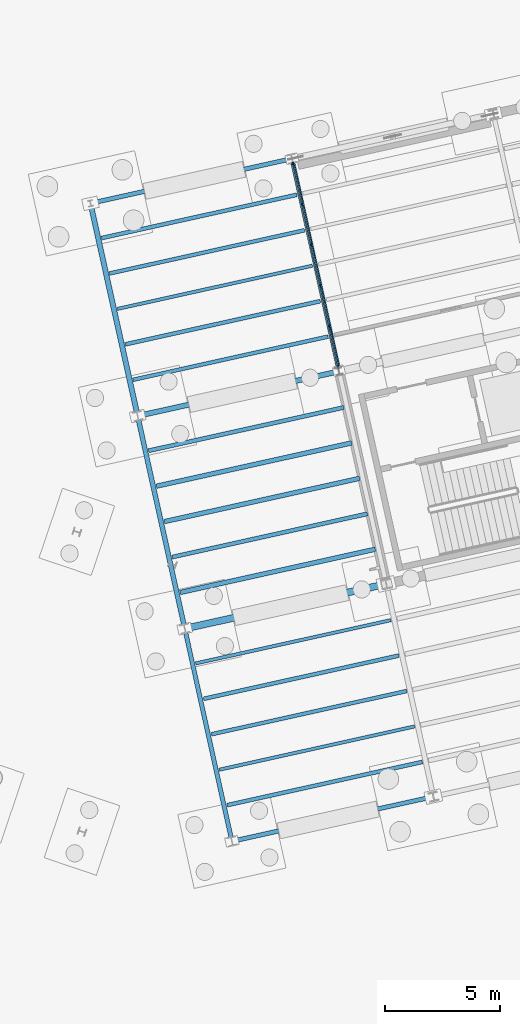
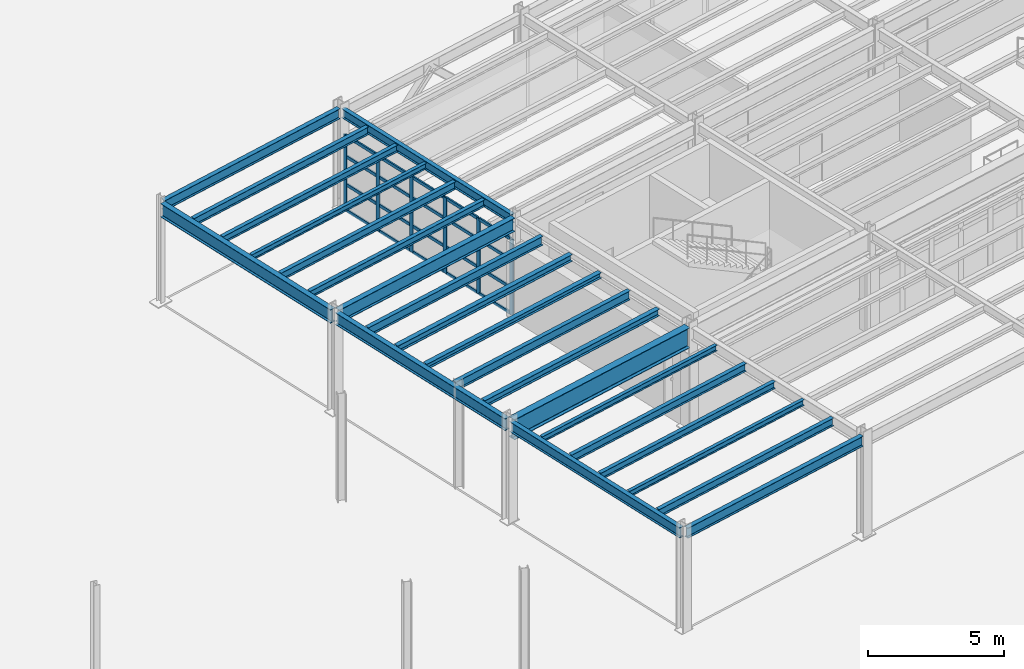
# One storey, part 52 of 108: 26 members, 23 beams, 1 element without a shape of its own.
"""IFC4 building model written with IfcOpenShell, lengths in metres."""

from ifc_helpers import new_model, si_unit, direction, frame, origin, origin_2d, place, context, subcontext, project, spatial, rectangle, i_section, extrude, material, layer, layer_set, material_profile, profile_set, type_object, element, aggregate, save


model = new_model("IFC4")

# Units and contexts
model_context = context("Model", 3, precision=1e-05, world=origin(), true_north=direction((0.0, 1.0)))
body_context = subcontext(model_context, "Body", "Model", "MODEL_VIEW")
ifc_project = project(units=[si_unit("LENGTHUNIT", "METRE"), si_unit("AREAUNIT", "SQUARE_METRE"), si_unit("VOLUMEUNIT", "CUBIC_METRE"), si_unit("PLANEANGLEUNIT", "RADIAN"), si_unit("MASSUNIT", "GRAM", prefix="KILO")], contexts=[model_context])

# Site, building, storey
site_placement = place(None, origin())
site = spatial("IfcSite", under=ifc_project, at=site_placement, CompositionType="ELEMENT")
building_placement = place(site_placement, origin())
building = spatial("IfcBuilding", under=site, at=building_placement, Name="Vireo Bluff Cable Station", CompositionType="ELEMENT")
storey_placement = place(building_placement, origin())
storey = spatial("IfcBuildingStorey", under=building, at=storey_placement, Name="L00", CompositionType="ELEMENT", Elevation=0.0)

# Beam
ifc_material_1 = material(Name="Steel ASTM A992 Gr. 50", Category="steel")
ifc_material_profile_1 = material_profile(ifc_material_1, i_section(OverallWidth=0.178955078125, OverallDepth=0.408935546875, WebThickness=0.0087890625, FlangeThickness=0.014404296875, FilletRadius=0.010009765625, at=origin_2d()), Name="W16X45")
ifc_profile_set_1 = profile_set([ifc_material_profile_1], Name="Steel ASTM A992 Gr. 50")
beam_type_1 = type_object("IfcBeamType", Name="BM-W16X45", PredefinedType="BEAM", material=ifc_profile_set_1)
beam_1_placement = place(storey_placement, frame((130.6484375, 94.61474609375, 4.33544921875), z_axis=(-0.216455863908, 0.976292404447, 0.0), x_axis=(-0.976292404447, -0.216455863908, 0.0)))
element("IfcBeam", 1, at=beam_1_placement, inside=storey, type_object=beam_type_1, Name="V2 L00 beam 377", PredefinedType="BEAM", context=body_context, shape_type="SweptSolid", body=[
    extrude(i_section(OverallWidth=0.178955078125, OverallDepth=0.408935546875, WebThickness=0.0087890625, FlangeThickness=0.014404296875, FilletRadius=0.010009765625, at=origin_2d()), origin(), (0.0, 0.0, 1.0), 9.260009765625),
])

# Curtain wall, members
ifc_material_2 = material(Name="Anodized Aluminium 6063-T6", Category="aluminium")
ifc_layer = layer(ifc_material_2, 0.159912109375, Name="Anodized Aluminium 6063-T6")
ifc_layer_set = layer_set([ifc_layer], Name="Anodized Aluminium 6063-T6")
curtain_wall_type = type_object("IfcCurtainWallType", Name="CW-STICK-1750", PredefinedType="USERDEFINED", material=ifc_layer_set)
curtain_wall_placement = place(storey_placement, origin())
curtain_wall = element("IfcCurtainWall", 2, at=curtain_wall_placement, inside=storey, type_object=curtain_wall_type, Name="V2 L00 west curtain wall CW-040", ObjectType="STICK CURTAIN WALL", PredefinedType="USERDEFINED")
ifc_material_profile_2 = material_profile(ifc_material_2, rectangle(XDim=0.06494140625, YDim=0.179931640625, at=origin_2d()), Name="ALU-M-65X180")
ifc_profile_set_2 = profile_set([ifc_material_profile_2], Name="Anodized Aluminium 6063-T6")
member_type_1 = type_object("IfcMemberType", Name="CWM-01", PredefinedType="MULLION", material=ifc_profile_set_2)
member_1_placement = place(storey_placement, frame((130.63330078125, 94.6826171875, 0.0), z_axis=(0.0, 0.0, 1.0), x_axis=(-0.976296023575, -0.216439539714, 0.0)))
member_1 = element("IfcMember", 3, at=member_1_placement, type_object=member_type_1, Name="CW-040 mullion 1", PredefinedType="MULLION", context=body_context, shape_type="SweptSolid", body=[
    extrude(rectangle(XDim=0.06494140625, YDim=0.179931640625, at=origin_2d()), origin(), (0.0, 0.0, 1.0), 3.39990234375),
])
member_2_placement = place(storey_placement, frame((130.2451171875, 96.43408203125, 0.0), z_axis=(0.0, 0.0, 1.0), x_axis=(-0.976296023575, -0.216439539714, 0.0)))
member_2 = element("IfcMember", 4, at=member_2_placement, type_object=member_type_1, Name="CW-040 mullion 2", PredefinedType="MULLION", context=body_context, shape_type="SweptSolid", body=[
    extrude(rectangle(XDim=0.06494140625, YDim=0.179931640625, at=origin_2d()), origin(), (0.0, 0.0, 1.0), 3.39990234375),
])
member_3_placement = place(storey_placement, frame((129.849609375, 98.21728515625, 0.0), z_axis=(0.0, 0.0, 1.0), x_axis=(-0.976296023575, -0.216439539714, 0.0)))
member_3 = element("IfcMember", 5, at=member_3_placement, type_object=member_type_1, Name="CW-040 mullion 3", PredefinedType="MULLION", context=body_context, shape_type="SweptSolid", body=[
    extrude(rectangle(XDim=0.06494140625, YDim=0.179931640625, at=origin_2d()), origin(), (0.0, 0.0, 1.0), 3.39990234375),
])
member_4_placement = place(storey_placement, frame((129.454345703125, 100.00048828125, 0.0), z_axis=(0.0, 0.0, 1.0), x_axis=(-0.976296023575, -0.216439539714, 0.0)))
member_4 = element("IfcMember", 6, at=member_4_placement, type_object=member_type_1, Name="CW-040 mullion 4", PredefinedType="MULLION", context=body_context, shape_type="SweptSolid", body=[
    extrude(rectangle(XDim=0.06494140625, YDim=0.179931640625, at=origin_2d()), origin(), (0.0, 0.0, 1.0), 3.39990234375),
])
member_5_placement = place(storey_placement, frame((129.05908203125, 101.78369140625, 0.0), z_axis=(0.0, 0.0, 1.0), x_axis=(-0.976296023575, -0.216439539714, 0.0)))
member_5 = element("IfcMember", 7, at=member_5_placement, type_object=member_type_1, Name="CW-040 mullion 5", PredefinedType="MULLION", context=body_context, shape_type="SweptSolid", body=[
    extrude(rectangle(XDim=0.06494140625, YDim=0.179931640625, at=origin_2d()), origin(), (0.0, 0.0, 1.0), 3.39990234375),
])
member_6_placement = place(storey_placement, frame((128.670654296875, 103.53515625, 0.0), z_axis=(0.0, 0.0, 1.0), x_axis=(-0.976296023575, -0.216439539714, 0.0)))
member_6 = element("IfcMember", 8, at=member_6_placement, type_object=member_type_1, Name="CW-040 mullion 6", PredefinedType="MULLION", context=body_context, shape_type="SweptSolid", body=[
    extrude(rectangle(XDim=0.06494140625, YDim=0.179931640625, at=origin_2d()), origin(), (0.0, 0.0, 1.0), 3.39990234375),
])
ifc_material_profile_3 = material_profile(ifc_material_2, rectangle(XDim=0.06494140625, YDim=0.139892578125, at=origin_2d()), Name="ALU-T-65X140")
ifc_profile_set_3 = profile_set([ifc_material_profile_3], Name="Anodized Aluminium 6063-T6")
member_type_2 = type_object("IfcMemberType", Name="CWT-01", PredefinedType="USERDEFINED", material=ifc_profile_set_3)
member_7_placement = place(storey_placement, frame((130.626220703125, 94.71435546875, 0.032470703125), z_axis=(-0.216466949396, 0.976289946593, 0.0), x_axis=(-0.976289946593, -0.216466949396, 0.0)))
member_7 = element("IfcMember", 9, at=member_7_placement, type_object=member_type_2, Name="CW-040 transom 1.1", ObjectType="TRANSOM", PredefinedType="USERDEFINED", context=body_context, shape_type="SweptSolid", body=[
    extrude(rectangle(XDim=0.06494140625, YDim=0.139892578125, at=origin_2d()), origin(), (0.0, 0.0, 1.0), 1.72900390625),
])
member_8_placement = place(storey_placement, frame((130.626220703125, 94.71435546875, 1.18994140625), z_axis=(-0.216466949396, 0.976289946593, 0.0), x_axis=(-0.976289946593, -0.216466949396, 0.0)))
member_8 = element("IfcMember", 10, at=member_8_placement, type_object=member_type_2, Name="CW-040 transom 1.2", ObjectType="TRANSOM", PredefinedType="USERDEFINED", context=body_context, shape_type="SweptSolid", body=[
    extrude(rectangle(XDim=0.06494140625, YDim=0.139892578125, at=origin_2d()), origin(), (0.0, 0.0, 1.0), 1.72900390625),
])
member_9_placement = place(storey_placement, frame((130.626220703125, 94.71435546875, 2.447998046875), z_axis=(-0.216466949396, 0.976289946593, 0.0), x_axis=(-0.976289946593, -0.216466949396, 0.0)))
member_9 = element("IfcMember", 11, at=member_9_placement, type_object=member_type_2, Name="CW-040 transom 1.3", ObjectType="TRANSOM", PredefinedType="USERDEFINED", context=body_context, shape_type="SweptSolid", body=[
    extrude(rectangle(XDim=0.06494140625, YDim=0.139892578125, at=origin_2d()), origin(), (0.0, 0.0, 1.0), 1.72900390625),
])
member_10_placement = place(storey_placement, frame((130.626220703125, 94.71435546875, 3.367431640625), z_axis=(-0.216466949396, 0.976289946593, 0.0), x_axis=(-0.976289946593, -0.216466949396, 0.0)))
member_10 = element("IfcMember", 12, at=member_10_placement, type_object=member_type_2, Name="CW-040 transom 1.4", ObjectType="TRANSOM", PredefinedType="USERDEFINED", context=body_context, shape_type="SweptSolid", body=[
    extrude(rectangle(XDim=0.06494140625, YDim=0.139892578125, at=origin_2d()), origin(), (0.0, 0.0, 1.0), 1.72900390625),
])
member_11_placement = place(storey_placement, frame((130.238037109375, 96.4658203125, 0.032470703125), z_axis=(-0.216490183069, 0.976284794839, 0.0), x_axis=(-0.976284794839, -0.216490183069, 0.0)))
member_11 = element("IfcMember", 13, at=member_11_placement, type_object=member_type_2, Name="CW-040 transom 2.1", ObjectType="TRANSOM", PredefinedType="USERDEFINED", context=body_context, shape_type="SweptSolid", body=[
    extrude(rectangle(XDim=0.06494140625, YDim=0.139892578125, at=origin_2d()), origin(), (0.0, 0.0, 1.0), 1.761474609375),
])
member_12_placement = place(storey_placement, frame((130.238037109375, 96.4658203125, 1.18994140625), z_axis=(-0.216490183069, 0.976284794839, 0.0), x_axis=(-0.976284794839, -0.216490183069, 0.0)))
member_12 = element("IfcMember", 14, at=member_12_placement, type_object=member_type_2, Name="CW-040 transom 2.2", ObjectType="TRANSOM", PredefinedType="USERDEFINED", context=body_context, shape_type="SweptSolid", body=[
    extrude(rectangle(XDim=0.06494140625, YDim=0.139892578125, at=origin_2d()), origin(), (0.0, 0.0, 1.0), 1.761474609375),
])
member_13_placement = place(storey_placement, frame((130.238037109375, 96.4658203125, 2.447998046875), z_axis=(-0.216490183069, 0.976284794839, 0.0), x_axis=(-0.976284794839, -0.216490183069, 0.0)))
member_13 = element("IfcMember", 15, at=member_13_placement, type_object=member_type_2, Name="CW-040 transom 2.3", ObjectType="TRANSOM", PredefinedType="USERDEFINED", context=body_context, shape_type="SweptSolid", body=[
    extrude(rectangle(XDim=0.06494140625, YDim=0.139892578125, at=origin_2d()), origin(), (0.0, 0.0, 1.0), 1.761474609375),
])
member_14_placement = place(storey_placement, frame((130.238037109375, 96.4658203125, 3.367431640625), z_axis=(-0.216490183069, 0.976284794839, 0.0), x_axis=(-0.976284794839, -0.216490183069, 0.0)))
member_14 = element("IfcMember", 16, at=member_14_placement, type_object=member_type_2, Name="CW-040 transom 2.4", ObjectType="TRANSOM", PredefinedType="USERDEFINED", context=body_context, shape_type="SweptSolid", body=[
    extrude(rectangle(XDim=0.06494140625, YDim=0.139892578125, at=origin_2d()), origin(), (0.0, 0.0, 1.0), 1.761474609375),
])
member_15_placement = place(storey_placement, frame((129.842529296875, 98.2490234375, 0.032470703125), z_axis=(-0.21635807487, 0.976314080324, 0.0), x_axis=(-0.976314080324, -0.21635807487, 0.0)))
member_15 = element("IfcMember", 17, at=member_15_placement, type_object=member_type_2, Name="CW-040 transom 3.1", ObjectType="TRANSOM", PredefinedType="USERDEFINED", context=body_context, shape_type="SweptSolid", body=[
    extrude(rectangle(XDim=0.06494140625, YDim=0.139892578125, at=origin_2d()), origin(), (0.0, 0.0, 1.0), 1.761474609375),
])
member_16_placement = place(storey_placement, frame((129.842529296875, 98.2490234375, 1.18994140625), z_axis=(-0.21635807487, 0.976314080324, 0.0), x_axis=(-0.976314080324, -0.21635807487, 0.0)))
member_16 = element("IfcMember", 18, at=member_16_placement, type_object=member_type_2, Name="CW-040 transom 3.2", ObjectType="TRANSOM", PredefinedType="USERDEFINED", context=body_context, shape_type="SweptSolid", body=[
    extrude(rectangle(XDim=0.06494140625, YDim=0.139892578125, at=origin_2d()), origin(), (0.0, 0.0, 1.0), 1.761474609375),
])
member_17_placement = place(storey_placement, frame((129.842529296875, 98.2490234375, 2.447998046875), z_axis=(-0.21635807487, 0.976314080324, 0.0), x_axis=(-0.976314080324, -0.21635807487, 0.0)))
member_17 = element("IfcMember", 19, at=member_17_placement, type_object=member_type_2, Name="CW-040 transom 3.3", ObjectType="TRANSOM", PredefinedType="USERDEFINED", context=body_context, shape_type="SweptSolid", body=[
    extrude(rectangle(XDim=0.06494140625, YDim=0.139892578125, at=origin_2d()), origin(), (0.0, 0.0, 1.0), 1.761474609375),
])
member_18_placement = place(storey_placement, frame((129.842529296875, 98.2490234375, 3.367431640625), z_axis=(-0.21635807487, 0.976314080324, 0.0), x_axis=(-0.976314080324, -0.21635807487, 0.0)))
member_18 = element("IfcMember", 20, at=member_18_placement, type_object=member_type_2, Name="CW-040 transom 3.4", ObjectType="TRANSOM", PredefinedType="USERDEFINED", context=body_context, shape_type="SweptSolid", body=[
    extrude(rectangle(XDim=0.06494140625, YDim=0.139892578125, at=origin_2d()), origin(), (0.0, 0.0, 1.0), 1.761474609375),
])
member_19_placement = place(storey_placement, frame((129.447265625, 100.0322265625, 0.032470703125), z_axis=(-0.21635807487, 0.976314080324, 0.0), x_axis=(-0.976314080324, -0.21635807487, 0.0)))
member_19 = element("IfcMember", 21, at=member_19_placement, type_object=member_type_2, Name="CW-040 transom 4.1", ObjectType="TRANSOM", PredefinedType="USERDEFINED", context=body_context, shape_type="SweptSolid", body=[
    extrude(rectangle(XDim=0.06494140625, YDim=0.139892578125, at=origin_2d()), origin(), (0.0, 0.0, 1.0), 1.761474609375),
])
member_20_placement = place(storey_placement, frame((129.447265625, 100.0322265625, 1.18994140625), z_axis=(-0.21635807487, 0.976314080324, 0.0), x_axis=(-0.976314080324, -0.21635807487, 0.0)))
member_20 = element("IfcMember", 22, at=member_20_placement, type_object=member_type_2, Name="CW-040 transom 4.2", ObjectType="TRANSOM", PredefinedType="USERDEFINED", context=body_context, shape_type="SweptSolid", body=[
    extrude(rectangle(XDim=0.06494140625, YDim=0.139892578125, at=origin_2d()), origin(), (0.0, 0.0, 1.0), 1.761474609375),
])
member_21_placement = place(storey_placement, frame((129.447265625, 100.0322265625, 2.447998046875), z_axis=(-0.21635807487, 0.976314080324, 0.0), x_axis=(-0.976314080324, -0.21635807487, 0.0)))
member_21 = element("IfcMember", 23, at=member_21_placement, type_object=member_type_2, Name="CW-040 transom 4.3", ObjectType="TRANSOM", PredefinedType="USERDEFINED", context=body_context, shape_type="SweptSolid", body=[
    extrude(rectangle(XDim=0.06494140625, YDim=0.139892578125, at=origin_2d()), origin(), (0.0, 0.0, 1.0), 1.761474609375),
])
member_22_placement = place(storey_placement, frame((129.447265625, 100.0322265625, 3.367431640625), z_axis=(-0.21635807487, 0.976314080324, 0.0), x_axis=(-0.976314080324, -0.21635807487, 0.0)))
member_22 = element("IfcMember", 24, at=member_22_placement, type_object=member_type_2, Name="CW-040 transom 4.4", ObjectType="TRANSOM", PredefinedType="USERDEFINED", context=body_context, shape_type="SweptSolid", body=[
    extrude(rectangle(XDim=0.06494140625, YDim=0.139892578125, at=origin_2d()), origin(), (0.0, 0.0, 1.0), 1.761474609375),
])
member_23_placement = place(storey_placement, frame((129.052001953125, 101.8154296875, 0.032470703125), z_axis=(-0.216466949396, 0.976289946593, 0.0), x_axis=(-0.976289946593, -0.216466949396, 0.0)))
member_23 = element("IfcMember", 25, at=member_23_placement, type_object=member_type_2, Name="CW-040 transom 5.1", ObjectType="TRANSOM", PredefinedType="USERDEFINED", context=body_context, shape_type="SweptSolid", body=[
    extrude(rectangle(XDim=0.06494140625, YDim=0.139892578125, at=origin_2d()), origin(), (0.0, 0.0, 1.0), 1.72900390625),
])
member_24_placement = place(storey_placement, frame((129.052001953125, 101.8154296875, 1.18994140625), z_axis=(-0.216466949396, 0.976289946593, 0.0), x_axis=(-0.976289946593, -0.216466949396, 0.0)))
member_24 = element("IfcMember", 26, at=member_24_placement, type_object=member_type_2, Name="CW-040 transom 5.2", ObjectType="TRANSOM", PredefinedType="USERDEFINED", context=body_context, shape_type="SweptSolid", body=[
    extrude(rectangle(XDim=0.06494140625, YDim=0.139892578125, at=origin_2d()), origin(), (0.0, 0.0, 1.0), 1.72900390625),
])
member_25_placement = place(storey_placement, frame((129.052001953125, 101.8154296875, 2.447998046875), z_axis=(-0.216466949396, 0.976289946593, 0.0), x_axis=(-0.976289946593, -0.216466949396, 0.0)))
member_25 = element("IfcMember", 27, at=member_25_placement, type_object=member_type_2, Name="CW-040 transom 5.3", ObjectType="TRANSOM", PredefinedType="USERDEFINED", context=body_context, shape_type="SweptSolid", body=[
    extrude(rectangle(XDim=0.06494140625, YDim=0.139892578125, at=origin_2d()), origin(), (0.0, 0.0, 1.0), 1.72900390625),
])
member_26_placement = place(storey_placement, frame((129.052001953125, 101.8154296875, 3.367431640625), z_axis=(-0.216466949396, 0.976289946593, 0.0), x_axis=(-0.976289946593, -0.216466949396, 0.0)))
member_26 = element("IfcMember", 28, at=member_26_placement, type_object=member_type_2, Name="CW-040 transom 5.4", ObjectType="TRANSOM", PredefinedType="USERDEFINED", context=body_context, shape_type="SweptSolid", body=[
    extrude(rectangle(XDim=0.06494140625, YDim=0.139892578125, at=origin_2d()), origin(), (0.0, 0.0, 1.0), 1.72900390625),
])
aggregate(curtain_wall, [member_1, member_2, member_3, member_4, member_5, member_6, member_7, member_8, member_9, member_10, member_11, member_12, member_13, member_14, member_15, member_16, member_17, member_18, member_19, member_20, member_21, member_22, member_23, member_24, member_25, member_26])

# Beams
ifc_material_profile_4 = material_profile(ifc_material_1, i_section(OverallWidth=0.22802734375, OverallDepth=0.60693359375, WebThickness=0.01123046875, FlangeThickness=0.017333984375, FilletRadius=0.012939453125, at=origin_2d()), Name="W24X76")
ifc_profile_set_4 = profile_set([ifc_material_profile_4], Name="Steel ASTM A992 Gr. 50")
beam_type_2 = type_object("IfcBeamType", Name="GIR-W24X76", PredefinedType="USERDEFINED", material=ifc_profile_set_4)
beam_2_placement = place(storey_placement, frame((122.0048828125, 92.57568359375, 4.236572265625), z_axis=(0.976295795297, 0.216440569406, 0.0), x_axis=(-0.216440569406, 0.976295795297, 0.0)))
element("IfcBeam", 29, at=beam_2_placement, inside=storey, type_object=beam_type_2, Name="V2 L00 girder 364", ObjectType="GIRDER", PredefinedType="USERDEFINED", context=body_context, shape_type="SweptSolid", body=[
    extrude(i_section(OverallWidth=0.22802734375, OverallDepth=0.60693359375, WebThickness=0.01123046875, FlangeThickness=0.017333984375, FilletRadius=0.012939453125, at=origin_2d()), origin(), (0.0, 0.0, 1.0), 8.760009765625),
])
ifc_material_profile_5 = material_profile(ifc_material_1, i_section(OverallWidth=0.303955078125, OverallDepth=0.912109375, WebThickness=0.015869140625, FlangeThickness=0.02392578125, FilletRadius=0.02001953125, at=origin_2d()), Name="W36X150")
ifc_profile_set_5 = profile_set([ifc_material_profile_5], Name="Steel ASTM A992 Gr. 50")
beam_type_3 = type_object("IfcBeamType", Name="GIR-W36X150", PredefinedType="USERDEFINED", material=ifc_profile_set_5)
beam_3_placement = place(storey_placement, frame((124.06103515625, 83.30078125, 4.083984375), z_axis=(0.976295795297, 0.216440569406, 0.0), x_axis=(-0.216440569406, 0.976295795297, 0.0)))
element("IfcBeam", 30, at=beam_3_placement, inside=storey, type_object=beam_type_3, Name="V2 L00 girder 360", ObjectType="GIRDER", PredefinedType="USERDEFINED", context=body_context, shape_type="SweptSolid", body=[
    extrude(i_section(OverallWidth=0.303955078125, OverallDepth=0.912109375, WebThickness=0.015869140625, FlangeThickness=0.02392578125, FilletRadius=0.02001953125, at=origin_2d()), origin(), (0.0, 0.0, 1.0), 8.760009765625),
])
ifc_material_profile_6 = material_profile(ifc_material_1, i_section(OverallWidth=0.14599609375, OverallDepth=0.259033203125, WebThickness=0.006103515625, FlangeThickness=0.009033203125, FilletRadius=0.009033203125, at=origin_2d()), Name="W10X22")
ifc_profile_set_6 = profile_set([ifc_material_profile_6], Name="Steel ASTM A992 Gr. 50")
beam_type_4 = type_object("IfcBeamType", Name="JST-W10X22", PredefinedType="JOIST", material=ifc_profile_set_6)
for number, where, z_axis, x_axis, name in (
    (31, (125.451171875, 77.121826171875, 4.410400390625), (0.976294318526, 0.216447230551, 0.0), (-0.216447230551, 0.976294318526, 0.0), "V2 L00 composite joist 388"),
    (32, (124.423095703125, 81.75927734375, 4.410400390625), (0.976294318526, 0.216447230551, 0.0), (-0.216447230551, 0.976294318526, 0.0), "V2 L00 composite joist 391"),
):
    element("IfcBeam", number, at=place(storey_placement, frame(where, z_axis=z_axis, x_axis=x_axis)), inside=storey, type_object=beam_type_4, Name=name, PredefinedType="JOIST", context=body_context, shape_type="SweptSolid", body=[
        extrude(i_section(OverallWidth=0.14599609375, OverallDepth=0.259033203125, WebThickness=0.006103515625, FlangeThickness=0.009033203125, FilletRadius=0.009033203125, at=origin_2d()), origin(), (0.0, 0.0, 1.0), 8.72021484375),
    ])
beam_4_placement = place(storey_placement, frame((120.996337890625, 97.21728515625, 4.410400390625), z_axis=(0.976293006815, 0.216453146994, 0.0), x_axis=(-0.216453146994, 0.976293006815, 0.0)))
element("IfcBeam", 33, at=beam_4_placement, inside=storey, type_object=beam_type_4, Name="V2 L00 composite joist 399", PredefinedType="JOIST", context=body_context, shape_type="SweptSolid", body=[
    extrude(i_section(OverallWidth=0.14599609375, OverallDepth=0.259033203125, WebThickness=0.006103515625, FlangeThickness=0.009033203125, FilletRadius=0.009033203125, at=origin_2d()), origin(), (0.0, 0.0, 1.0), 8.719970703125),
])
ifc_material_profile_7 = material_profile(ifc_material_1, i_section(OverallWidth=0.201904296875, OverallDepth=0.2470703125, WebThickness=0.00732421875, FlangeThickness=0.010986328125, FilletRadius=0.009033203125, at=origin_2d()), Name="W10X33")
ifc_profile_set_7 = profile_set([ifc_material_profile_7], Name="Steel ASTM A992 Gr. 50")
beam_type_5 = type_object("IfcBeamType", Name="JST-W10X33", PredefinedType="JOIST", material=ifc_profile_set_7)
beam_5_placement = place(storey_placement, frame((123.052490234375, 87.942626953125, 4.41650390625), z_axis=(0.976298923088, 0.216426460438, 0.0), x_axis=(-0.216426460438, 0.976298923088, 0.0)))
element("IfcBeam", 34, at=beam_5_placement, inside=storey, type_object=beam_type_5, Name="V2 L00 composite joist 394", PredefinedType="JOIST", context=body_context, shape_type="SweptSolid", body=[
    extrude(i_section(OverallWidth=0.201904296875, OverallDepth=0.2470703125, WebThickness=0.00732421875, FlangeThickness=0.010986328125, FilletRadius=0.009033203125, at=origin_2d()), origin(), (0.0, 0.0, 1.0), 8.719970703125),
])
ifc_material_profile_8 = material_profile(ifc_material_1, i_section(OverallWidth=0.1650390625, OverallDepth=0.31005859375, WebThickness=0.005859375, FlangeThickness=0.009765625, FilletRadius=0.010009765625, at=origin_2d()), Name="W12X26")
ifc_profile_set_8 = profile_set([ifc_material_profile_8], Name="Steel ASTM A992 Gr. 50")
beam_type_6 = type_object("IfcBeamType", Name="JST-W12X26", PredefinedType="JOIST", material=ifc_profile_set_8)
for number, where, z_axis, x_axis, name in (
    (35, (125.108642578125, 78.667724609375, 4.385009765625), (0.976293006815, 0.216453146994, 0.0), (-0.216453146994, 0.976293006815, 0.0), "V2 L00 composite joist 389"),
    (36, (121.681640625, 94.125732421875, 4.385009765625), (0.976293006815, 0.216453146994, 0.0), (-0.216453146994, 0.976293006815, 0.0), "V2 L00 composite joist 397"),
    (37, (120.653564453125, 98.76318359375, 4.385009765625), (0.976298923088, 0.216426460438, 0.0), (-0.216426460438, 0.976298923088, 0.0), "V2 L00 composite joist 400"),
):
    element("IfcBeam", number, at=place(storey_placement, frame(where, z_axis=z_axis, x_axis=x_axis)), inside=storey, type_object=beam_type_6, Name=name, PredefinedType="JOIST", context=body_context, shape_type="SweptSolid", body=[
        extrude(i_section(OverallWidth=0.1650390625, OverallDepth=0.31005859375, WebThickness=0.005859375, FlangeThickness=0.009765625, FilletRadius=0.010009765625, at=origin_2d()), origin(), (0.0, 0.0, 1.0), 8.719970703125),
    ])
ifc_material_profile_9 = material_profile(ifc_material_1, i_section(OverallWidth=0.202880859375, OverallDepth=0.302978515625, WebThickness=0.007568359375, FlangeThickness=0.01318359375, FilletRadius=0.010009765625, at=origin_2d()), Name="W12X40")
ifc_profile_set_9 = profile_set([ifc_material_profile_9], Name="Steel ASTM A992 Gr. 50")
beam_type_7 = type_object("IfcBeamType", Name="JST-W12X40", PredefinedType="JOIST", material=ifc_profile_set_9)
beam_6_placement = place(storey_placement, frame((123.73779296875, 84.850830078125, 4.388427734375), z_axis=(0.976294318526, 0.216447230551, 0.0), x_axis=(-0.216447230551, 0.976294318526, 0.0)))
element("IfcBeam", 38, at=beam_6_placement, inside=storey, type_object=beam_type_7, Name="V2 L00 composite joist 392", PredefinedType="JOIST", context=body_context, shape_type="SweptSolid", body=[
    extrude(i_section(OverallWidth=0.202880859375, OverallDepth=0.302978515625, WebThickness=0.007568359375, FlangeThickness=0.01318359375, FilletRadius=0.010009765625, at=origin_2d()), origin(), (0.0, 0.0, 1.0), 8.72021484375),
])
beam_7_placement = place(storey_placement, frame((122.709716796875, 89.48828125, 4.388427734375), z_axis=(0.976293006815, 0.216453146994, 0.0), x_axis=(-0.216453146994, 0.976293006815, 0.0)))
element("IfcBeam", 39, at=beam_7_placement, inside=storey, type_object=beam_type_7, Name="V2 L00 composite joist 395", PredefinedType="JOIST", context=body_context, shape_type="SweptSolid", body=[
    extrude(i_section(OverallWidth=0.202880859375, OverallDepth=0.302978515625, WebThickness=0.007568359375, FlangeThickness=0.01318359375, FilletRadius=0.010009765625, at=origin_2d()), origin(), (0.0, 0.0, 1.0), 8.719970703125),
])
ifc_material_profile_10 = material_profile(ifc_material_1, i_section(OverallWidth=0.1708984375, OverallDepth=0.35107421875, WebThickness=0.0068359375, FlangeThickness=0.009765625, FilletRadius=0.010009765625, at=origin_2d()), Name="W14X30")
ifc_profile_set_10 = profile_set([ifc_material_profile_10], Name="Steel ASTM A992 Gr. 50")
beam_type_8 = type_object("IfcBeamType", Name="JST-W14X30", PredefinedType="JOIST", material=ifc_profile_set_10)
for number, where, z_axis, x_axis, name in (
    (40, (125.7939453125, 75.576171875, 4.364501953125), (0.976300234484, 0.216420544652, 0.0), (-0.216420544652, 0.976300234484, 0.0), "V2 L00 composite joist 387"),
    (41, (124.765869140625, 80.213623046875, 4.364501953125), (0.976300234484, 0.216420544652, 0.0), (-0.216420544652, 0.976300234484, 0.0), "V2 L00 composite joist 390"),
    (42, (121.3388671875, 95.671630859375, 4.364501953125), (0.976300234484, 0.216420544652, 0.0), (-0.216420544652, 0.976300234484, 0.0), "V2 L00 composite joist 398"),
):
    element("IfcBeam", number, at=place(storey_placement, frame(where, z_axis=z_axis, x_axis=x_axis)), inside=storey, type_object=beam_type_8, Name=name, PredefinedType="JOIST", context=body_context, shape_type="SweptSolid", body=[
        extrude(i_section(OverallWidth=0.1708984375, OverallDepth=0.35107421875, WebThickness=0.0068359375, FlangeThickness=0.009765625, FilletRadius=0.010009765625, at=origin_2d()), origin(), (0.0, 0.0, 1.0), 8.719970703125),
    ])
beam_8_placement = place(storey_placement, frame((120.310791015625, 100.308837890625, 4.364501953125), z_axis=(0.976294318526, 0.216447230551, 0.0), x_axis=(-0.216447230551, 0.976294318526, 0.0)))
element("IfcBeam", 43, at=beam_8_placement, inside=storey, type_object=beam_type_8, Name="V2 L00 composite joist 401", PredefinedType="JOIST", context=body_context, shape_type="SweptSolid", body=[
    extrude(i_section(OverallWidth=0.1708984375, OverallDepth=0.35107421875, WebThickness=0.0068359375, FlangeThickness=0.009765625, FilletRadius=0.010009765625, at=origin_2d()), origin(), (0.0, 0.0, 1.0), 8.72021484375),
])
ifc_material_profile_11 = material_profile(ifc_material_1, i_section(OverallWidth=0.177978515625, OverallDepth=0.404052734375, WebThickness=0.007568359375, FlangeThickness=0.010986328125, FilletRadius=0.010009765625, at=origin_2d()), Name="W16X36")
ifc_profile_set_11 = profile_set([ifc_material_profile_11], Name="Steel ASTM A992 Gr. 50")
beam_type_9 = type_object("IfcBeamType", Name="JST-W16X36", PredefinedType="JOIST", material=ifc_profile_set_11)
beam_9_placement = place(storey_placement, frame((123.39501953125, 86.396728515625, 4.337890625), z_axis=(0.976294318526, 0.216447230551, 0.0), x_axis=(-0.216447230551, 0.976294318526, 0.0)))
element("IfcBeam", 44, at=beam_9_placement, inside=storey, type_object=beam_type_9, Name="V2 L00 composite joist 393", PredefinedType="JOIST", context=body_context, shape_type="SweptSolid", body=[
    extrude(i_section(OverallWidth=0.177978515625, OverallDepth=0.404052734375, WebThickness=0.007568359375, FlangeThickness=0.010986328125, FilletRadius=0.010009765625, at=origin_2d()), origin(), (0.0, 0.0, 1.0), 8.72021484375),
])
beam_10_placement = place(storey_placement, frame((122.366943359375, 91.0341796875, 4.337890625), z_axis=(0.976300234484, 0.216420544652, 0.0), x_axis=(-0.216420544652, 0.976300234484, 0.0)))
element("IfcBeam", 45, at=beam_10_placement, inside=storey, type_object=beam_type_9, Name="V2 L00 composite joist 396", PredefinedType="JOIST", context=body_context, shape_type="SweptSolid", body=[
    extrude(i_section(OverallWidth=0.177978515625, OverallDepth=0.404052734375, WebThickness=0.007568359375, FlangeThickness=0.010986328125, FilletRadius=0.010009765625, at=origin_2d()), origin(), (0.0, 0.0, 1.0), 8.719970703125),
])
ifc_material_profile_12 = material_profile(ifc_material_1, i_section(OverallWidth=0.19091796875, OverallDepth=0.45703125, WebThickness=0.009033203125, FlangeThickness=0.014404296875, FilletRadius=0.011962890625, at=origin_2d()), Name="W18X50")
ifc_profile_set_12 = profile_set([ifc_material_profile_12], Name="Steel ASTM A992 Gr. 50")
beam_type_10 = type_object("IfcBeamType", Name="SPN-W18X50", PredefinedType="SPANDREL", material=ifc_profile_set_12)
for number, where, z_axis, x_axis, name in (
    (46, (126.1171875, 74.02587890625, 4.3115234375), (0.976295795297, 0.216440569406, 0.0), (-0.216440569406, 0.976295795297, 0.0), "V2 L00 spandrel 356"),
    (47, (119.94873046875, 101.850341796875, 4.3115234375), (0.976295795297, 0.216440569406, 0.0), (-0.216440569406, 0.976295795297, 0.0), "V2 L00 spandrel 368"),
):
    element("IfcBeam", number, at=place(storey_placement, frame(where, z_axis=z_axis, x_axis=x_axis)), inside=storey, type_object=beam_type_10, Name=name, PredefinedType="SPANDREL", context=body_context, shape_type="SweptSolid", body=[
        extrude(i_section(OverallWidth=0.19091796875, OverallDepth=0.45703125, WebThickness=0.009033203125, FlangeThickness=0.014404296875, FilletRadius=0.011962890625, at=origin_2d()), origin(), (0.0, 0.0, 1.0), 8.760009765625),
    ])
beam_11_placement = place(storey_placement, frame((125.97412109375, 74.1171875, 4.3115234375), z_axis=(-0.216455863908, 0.976292404447, 0.0), x_axis=(-0.976292404447, -0.216455863908, 0.0)))
element("IfcBeam", 48, at=beam_11_placement, inside=storey, type_object=beam_type_10, Name="V2 L00 spandrel 372", PredefinedType="SPANDREL", context=body_context, shape_type="SweptSolid", body=[
    extrude(i_section(OverallWidth=0.19091796875, OverallDepth=0.45703125, WebThickness=0.009033203125, FlangeThickness=0.014404296875, FilletRadius=0.011962890625, at=origin_2d()), origin(), (0.0, 0.0, 1.0), 9.260009765625),
])
ifc_material_profile_13 = material_profile(ifc_material_1, i_section(OverallWidth=0.2099609375, OverallDepth=0.535888671875, WebThickness=0.010986328125, FlangeThickness=0.017333984375, FilletRadius=0.012939453125, at=origin_2d()), Name="W21X68")
ifc_profile_set_13 = profile_set([ifc_material_profile_13], Name="Steel ASTM A992 Gr. 50")
beam_type_11 = type_object("IfcBeamType", Name="SPN-W21X68", PredefinedType="SPANDREL", material=ifc_profile_set_13)
beam_12_placement = place(storey_placement, frame((123.91796875, 83.39208984375, 4.27197265625), z_axis=(-0.21646143559, 0.97629116912, 0.0), x_axis=(-0.97629116912, -0.21646143559, 0.0)))
element("IfcBeam", 49, at=beam_12_placement, inside=storey, type_object=beam_type_11, Name="V2 L00 spandrel 373", PredefinedType="SPANDREL", context=body_context, shape_type="SweptSolid", body=[
    extrude(i_section(OverallWidth=0.2099609375, OverallDepth=0.535888671875, WebThickness=0.010986328125, FlangeThickness=0.017333984375, FilletRadius=0.012939453125, at=origin_2d()), origin(), (0.0, 0.0, 1.0), 9.259765625),
])
ifc_material_profile_14 = material_profile(ifc_material_1, i_section(OverallWidth=0.22802734375, OverallDepth=0.60693359375, WebThickness=0.01123046875, FlangeThickness=0.017333984375, FilletRadius=0.012939453125, at=origin_2d()), Name="W24X76")
ifc_profile_set_14 = profile_set([ifc_material_profile_14], Name="Steel ASTM A992 Gr. 50")
beam_type_12 = type_object("IfcBeamType", Name="SPN-W24X76", PredefinedType="SPANDREL", material=ifc_profile_set_14)
beam_13_placement = place(storey_placement, frame((121.861572265625, 92.666748046875, 4.236572265625), z_axis=(-0.216430734067, 0.976297975698, 0.0), x_axis=(-0.976297975698, -0.216430734067, 0.0)))
element("IfcBeam", 50, at=beam_13_placement, inside=storey, type_object=beam_type_12, Name="V2 L00 spandrel 374", PredefinedType="SPANDREL", context=body_context, shape_type="SweptSolid", body=[
    extrude(i_section(OverallWidth=0.22802734375, OverallDepth=0.60693359375, WebThickness=0.01123046875, FlangeThickness=0.017333984375, FilletRadius=0.012939453125, at=origin_2d()), origin(), (0.0, 0.0, 1.0), 9.260009765625),
])

save(model, "model.ifc")
